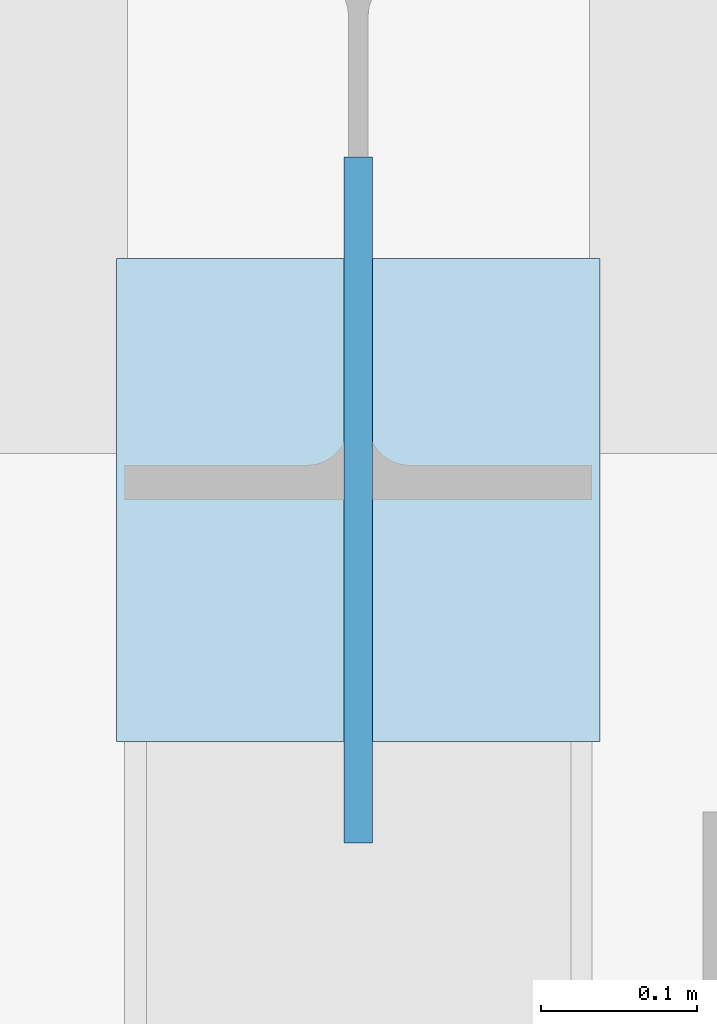
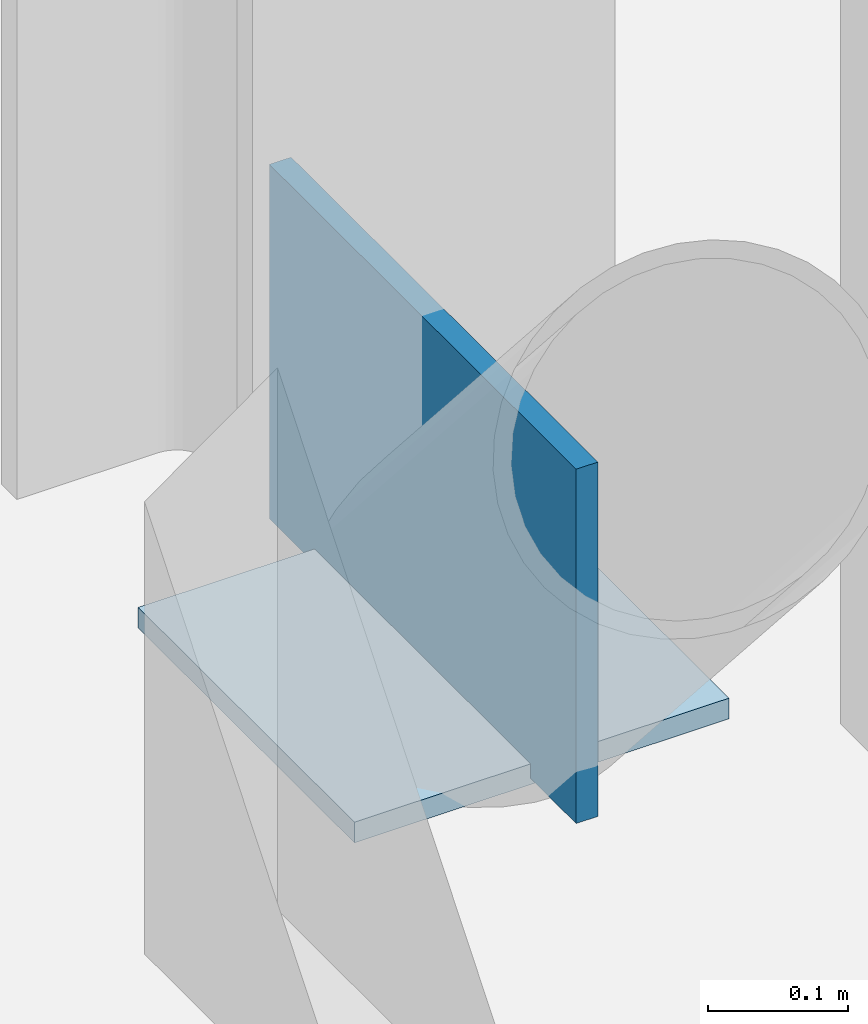
# One storey, part 48 of 76: 2 plates.
"""IFC4 building model written with IfcOpenShell, lengths in metres."""

from ifc_helpers import new_model, si_unit, direction, frame, origin, origin_2d, place, context, subcontext, project, spatial, rectangle, extrude, material, layer, layer_set, type_object, element, save


model = new_model("IFC4")

# Units and contexts
model_context = context("Model", 3, precision=1e-05, world=origin(), true_north=direction((0.0, 1.0)))
body_context = subcontext(model_context, "Body", "Model", "MODEL_VIEW")
ifc_project = project(units=[si_unit("LENGTHUNIT", "METRE"), si_unit("AREAUNIT", "SQUARE_METRE"), si_unit("VOLUMEUNIT", "CUBIC_METRE"), si_unit("PLANEANGLEUNIT", "RADIAN"), si_unit("MASSUNIT", "GRAM", prefix="KILO")], contexts=[model_context])

# Site, building, storey
site_placement = place(None, origin())
site = spatial("IfcSite", under=ifc_project, at=site_placement, CompositionType="ELEMENT")
building_placement = place(site_placement, origin())
building = spatial("IfcBuilding", under=site, at=building_placement, Name="Zarrinpeak Specialist Clinic", CompositionType="ELEMENT")
storey_placement = place(building_placement, frame((0.0, 0.0, 5.199951171875)))
storey = spatial("IfcBuildingStorey", under=building, at=storey_placement, Name="L01", CompositionType="ELEMENT", Elevation=5.199951171875)

# Plates
ifc_material = material(Name="Steel S355", Category="steel")
ifc_layer_1 = layer(ifc_material, 0.01806640625)
ifc_layer_set_1 = layer_set([ifc_layer_1], Name="Steel S355")
plate_type_1 = type_object("IfcPlateType", Name="PL-CAP273", PredefinedType="SHEET", material=ifc_layer_set_1)
plate_1_placement = place(storey_placement, frame((14.39990234375, 64.6201171875, 0.0), z_axis=(0.0, 0.0, 1.0), x_axis=(1.0, 0.0, 0.0)))
element("IfcPlate", 1, at=plate_1_placement, inside=storey, type_object=plate_type_1, Name="V5 L01 Hollow Brace Foot Cap Plate B", PredefinedType="SHEET", context=body_context, shape_type="SweptSolid", body=[
    extrude(rectangle(XDim=0.31005859375, YDim=0.31005859375, at=origin_2d()), origin(), (0.0, 0.0, 1.0), 0.01806640625),
])
ifc_layer_2 = layer(ifc_material, 0.01806640625)
ifc_layer_set_2 = layer_set([ifc_layer_2], Name="Steel S355")
plate_type_2 = type_object("IfcPlateType", Name="PL-GN03", PredefinedType="SHEET", material=ifc_layer_set_2)
plate_2_placement = place(storey_placement, frame((14.39990234375, 64.6201171875, 0.005126953125), z_axis=(0.0, 0.0, 1.0), x_axis=(1.0, 0.0, 0.0)))
element("IfcPlate", 2, at=plate_2_placement, inside=storey, type_object=plate_type_2, Name="V5 L01 Brace Foot Gusset Plate GNF-V5-L01-B", PredefinedType="SHEET", context=body_context, shape_type="SweptSolid", body=[
    extrude(rectangle(XDim=0.01806640625, YDim=0.43994140625, at=origin_2d()), origin(), (0.0, 0.0, 1.0), 0.31005859375),
])

save(model, "model.ifc")
